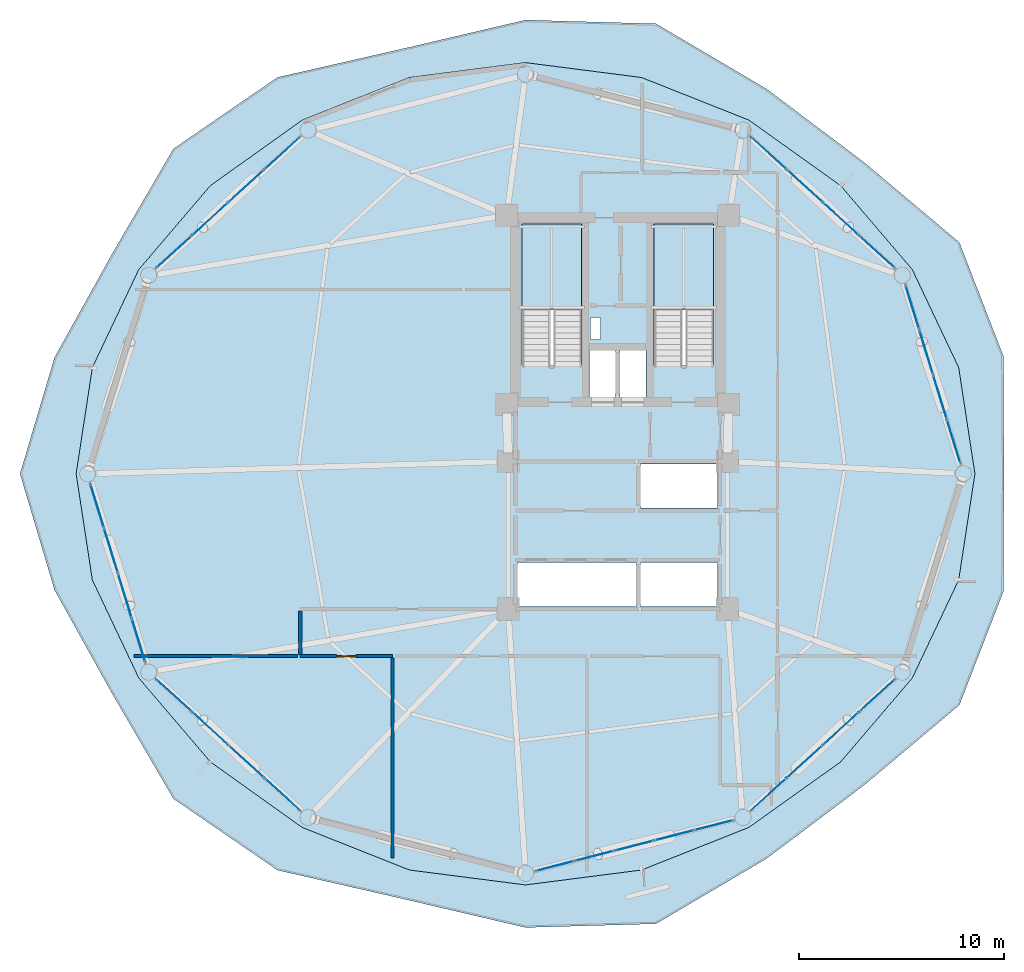
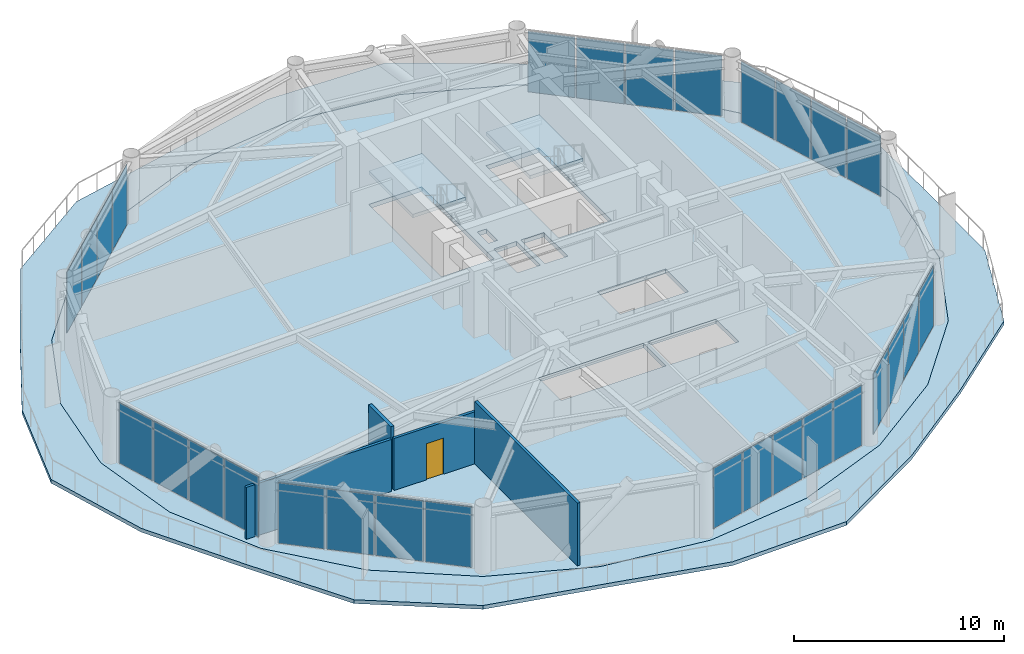
# One storey, part 18 of 23: 29 plates, 4 slabs, 4 walls, 1 door, 1 opening, 9 elements without a shape of their own.
"""IFC4 building model written with IfcOpenShell, lengths in metres."""

from ifc_helpers import new_model, si_unit, direction, frame, frame_2d, origin, origin_2d, place, context, subcontext, project, spatial, polyline, rectangle, outline, extrude, source, transform, mapped, material, layer, layer_set, type_object, type_shapes, element, fill, aggregate, save


model = new_model("IFC4")

# Units and contexts
model_context = context("Model", 3, precision=1e-05, world=origin(), true_north=direction((0.0, 1.0)))
body_context = subcontext(model_context, "Body", "Model", "MODEL_VIEW")
ifc_project = project(units=[si_unit("LENGTHUNIT", "METRE"), si_unit("AREAUNIT", "SQUARE_METRE"), si_unit("VOLUMEUNIT", "CUBIC_METRE"), si_unit("PLANEANGLEUNIT", "RADIAN"), si_unit("MASSUNIT", "GRAM", prefix="KILO")], contexts=[model_context])

# Site, building, storey
site_placement = place(None, origin())
site = spatial("IfcSite", under=ifc_project, at=site_placement, CompositionType="ELEMENT")
building_placement = place(site_placement, origin())
building = spatial("IfcBuilding", under=site, at=building_placement, Name="Varnakorn Sky Granary", CompositionType="ELEMENT")
storey_placement = place(building_placement, frame((0.0, 0.0, 114.89990234375)))
storey = spatial("IfcBuildingStorey", under=building, at=storey_placement, Name="L28", CompositionType="ELEMENT", Elevation=114.89990234375)

# Stair, slab
ifc_material_1 = material(Name="Concrete C40/50", Category="concrete")
stair_type = type_object("IfcStairType", Name="ST-MAIN-ASSEMBLY", PredefinedType="HALF_TURN_STAIR", material=ifc_material_1)
stair_1_placement = place(storey_placement, origin())
stair_1 = element("IfcStair", 1, at=stair_1_placement, inside=storey, type_object=stair_type, Name="L28 Protected Exit Stair ST-1", PredefinedType="HALF_TURN_STAIR")
ifc_layer_1 = layer(ifc_material_1, 0.199951171875, Name="Concrete C40/50")
ifc_layer_set_1 = layer_set([ifc_layer_1], Name="Concrete C40/50")
slab_type_1 = type_object("IfcSlabType", Name="ST-MAIN-LAND", PredefinedType="LANDING", material=ifc_layer_set_1)
slab_1_placement = place(storey_placement, frame((0.0, 0.0, 1.75)))
slab_1 = element("IfcSlab", 2, at=slab_1_placement, type_object=slab_type_1, Name="ST-1 landing 1", PredefinedType="LANDING", context=body_context, shape_type="SweptSolid", body=[
    extrude(outline(polyline([(1.239990234375, 8.0), (1.239990234375, 12.179931640625), (-1.669921875, 12.179931640625), (-1.669921875, 8.0), (1.239990234375, 8.0)])), origin(), (0.0, 0.0, 1.0), 0.2001953125),
])
aggregate(stair_1, [slab_1])

stair_2_placement = place(storey_placement, origin())
stair_2 = element("IfcStair", 3, at=stair_2_placement, inside=storey, type_object=stair_type, Name="L28 Protected Exit Stair ST-2", PredefinedType="HALF_TURN_STAIR")
slab_2_placement = place(storey_placement, frame((0.0, 0.0, 1.75)))
slab_2 = element("IfcSlab", 4, at=slab_2_placement, type_object=slab_type_1, Name="ST-2 landing 1", PredefinedType="LANDING", context=body_context, shape_type="SweptSolid", body=[
    extrude(outline(polyline([(7.679931640625, 8.0), (7.679931640625, 12.179931640625), (4.77001953125, 12.179931640625), (4.77001953125, 8.0), (7.679931640625, 8.0)])), origin(), (0.0, 0.0, 1.0), 0.2001953125),
])
aggregate(stair_2, [slab_2])

# Slabs
ifc_material_2 = material(Name="Precast concrete C40/50", Category="concrete")
ifc_layer_2 = layer(ifc_material_2, 0.219970703125, Name="Precast concrete C40/50")
ifc_layer_set_2 = layer_set([ifc_layer_2], Name="Precast concrete C40/50")
slab_type_2 = type_object("IfcSlabType", Name="ST-SL-DECK-220", PredefinedType="FLOOR", material=ifc_layer_set_2)
slab_3_placement = place(storey_placement, frame((0.0, 0.0, -0.219970703125)))
element("IfcSlab", 5, at=slab_3_placement, inside=storey, type_object=slab_type_2, Name="Wavy Sky-Farm Balcony Deck L28", PredefinedType="FLOOR", context=body_context, shape_type="SweptSolid", body=[
    extrude(outline(polyline([(21.85302734375, 0.0), (21.81640625, 5.7646484375), (19.674072265625, 11.291748046875), (15.0224609375, 15.202880859375), (10.27392578125, 18.777099609375), (4.868408203125, 21.964599609375), (-1.5, 22.14697265625), (-7.538330078125, 20.733154296875), (-13.60400390625, 19.3486328125), (-18.6826171875, 15.863037109375), (-21.68408203125, 10.72021484375), (-24.486328125, 5.67626953125), (-26.173095703125, 0.0), (-24.486328125, -5.67626953125), (-21.68408203125, -10.72021484375), (-18.6826171875, -15.863037109375), (-13.60400390625, -19.3486328125), (-7.538330078125, -20.733154296875), (-1.5, -22.14697265625), (4.868408203125, -21.964599609375), (10.27392578125, -18.777099609375), (15.0224609375, -15.202880859375), (19.674072265625, -11.291748046875), (21.81640625, -5.7646484375), (21.85302734375, 0.0)]), holes=[polyline([(20.43310546875, 0.0), (19.64208984375, 5.18212890625), (17.377685546875, 9.966064453125), (13.881591796875, 14.062255859375), (9.39892578125, 17.26171875), (4.1650390625, 19.33984375), (-1.5, 20.06689453125), (-7.1650390625, 19.33984375), (-12.39892578125, 17.26171875), (-16.881591796875, 14.062255859375), (-20.377685546875, 9.966064453125), (-22.64208984375, 5.18212890625), (-23.43310546875, 0.0), (-22.64208984375, -5.18212890625), (-20.377685546875, -9.966064453125), (-16.881591796875, -14.062255859375), (-12.39892578125, -17.26171875), (-7.1650390625, -19.33984375), (-1.5, -20.06689453125), (4.1650390625, -19.33984375), (9.39892578125, -17.26171875), (13.881591796875, -14.062255859375), (17.377685546875, -9.966064453125), (19.64208984375, -5.18212890625), (20.43310546875, 0.0)])]), origin(), (0.0, 0.0, 1.0), 0.219970703125),
])
ifc_material_3 = material(Name="Concrete C50/60", Category="concrete")
ifc_layer_3 = layer(ifc_material_3, 0.260009765625, Name="Concrete C50/60")
ifc_layer_set_3 = layer_set([ifc_layer_3], Name="Concrete C50/60")
slab_type_3 = type_object("IfcSlabType", Name="ST-SL-TWR-260", PredefinedType="FLOOR", material=ifc_layer_set_3)
slab_4_placement = place(storey_placement, frame((0.0, 0.0, -0.260009765625)))
element("IfcSlab", 6, at=slab_4_placement, inside=storey, type_object=slab_type_3, Name="Level L28 Structural Floor Slab", PredefinedType="FLOOR", context=body_context, shape_type="SweptSolid", body=[
    extrude(outline(polyline([(20.43310546875, 0.0), (19.64208984375, 5.18212890625), (17.377685546875, 9.966064453125), (13.881591796875, 14.062255859375), (9.39892578125, 17.26171875), (4.1650390625, 19.33984375), (-1.5, 20.06689453125), (-7.1650390625, 19.33984375), (-12.39892578125, 17.26171875), (-16.881591796875, 14.062255859375), (-20.377685546875, 9.966064453125), (-22.64208984375, 5.18212890625), (-23.43310546875, 0.0), (-22.64208984375, -5.18212890625), (-20.377685546875, -9.966064453125), (-16.881591796875, -14.062255859375), (-12.39892578125, -17.26171875), (-7.1650390625, -19.33984375), (-1.5, -20.06689453125), (4.1650390625, -19.33984375), (9.39892578125, -17.26171875), (13.881591796875, -14.062255859375), (17.377685546875, -9.966064453125), (19.64208984375, -5.18212890625), (20.43310546875, 0.0)]), holes=[polyline([(1.239990234375, 5.27490234375), (1.239990234375, 12.179931640625), (-1.669921875, 12.179931640625), (-1.669921875, 5.27490234375), (1.239990234375, 5.27490234375)]), polyline([(7.679931640625, 5.27490234375), (7.679931640625, 12.179931640625), (4.77001953125, 12.179931640625), (4.77001953125, 5.27490234375), (7.679931640625, 5.27490234375)]), polyline([(1.659912109375, 6.550048828125), (2.14990234375, 6.550048828125), (2.14990234375, 7.6201171875), (1.659912109375, 7.6201171875), (1.659912109375, 6.550048828125)]), polyline([(1.6201171875, 3.739990234375), (2.8798828125, 3.739990234375), (2.8798828125, 6.010009765625), (1.6201171875, 6.010009765625), (1.6201171875, 3.739990234375)]), polyline([(3.1201171875, 3.739990234375), (4.3798828125, 3.739990234375), (4.3798828125, 6.010009765625), (3.1201171875, 6.010009765625), (3.1201171875, 3.739990234375)]), polyline([(4.1201171875, -1.679931640625), (7.8798828125, -1.679931640625), (7.8798828125, 0.47998046875), (4.1201171875, 0.47998046875), (4.1201171875, -1.679931640625)]), polyline([(-1.8798828125, -6.47998046875), (3.8798828125, -6.47998046875), (3.8798828125, -4.320068359375), (-1.8798828125, -4.320068359375), (-1.8798828125, -6.47998046875)]), polyline([(4.1201171875, -6.47998046875), (7.8798828125, -6.47998046875), (7.8798828125, -4.320068359375), (4.1201171875, -4.320068359375), (4.1201171875, -6.47998046875)])]), origin(), (0.0, 0.0, 1.0), 0.260009765625),
])

# Curtain wall, plates
ifc_material_4 = material(Name="Anodised Bronze Aluminium Alloy 6063-T6", Category="aluminium")
ifc_layer_4 = layer(ifc_material_4, 0.179931640625, Name="Anodised Bronze Aluminium Alloy 6063-T6")
ifc_layer_set_4 = layer_set([ifc_layer_4], Name="Anodised Bronze Aluminium Alloy 6063-T6")
curtain_wall_type = type_object("IfcCurtainWallType", Name="CW-FRM-2", PredefinedType="USERDEFINED", material=ifc_layer_set_4)
curtain_wall_1_placement = place(storey_placement, origin())
curtain_wall_1 = element("IfcCurtainWall", 7, at=curtain_wall_1_placement, inside=storey, type_object=curtain_wall_type, Name="Unitised Curtain Wall CW4 CW-L28-B01", ObjectType="CURTAIN WALL", PredefinedType="USERDEFINED")
ifc_material_5 = material(Name="Low-E Tinted Laminated Glass", Category="glass")
ifc_layer_5 = layer(ifc_material_5, 0.02587890625, Name="Low-E Tinted Laminated Glass")
ifc_layer_set_5 = layer_set([ifc_layer_5], Name="Low-E Tinted Laminated Glass")
plate_type = type_object("IfcPlateType", Name="CW-FRM-2-PNL", PredefinedType="CURTAIN_PANEL")
shared_shape_1 = source(origin(), body_context, "Body", "SweptSolid", [
    extrude(rectangle(XDim=2.196533203125, YDim=0.02587890625, at=origin_2d()), origin(), (0.0, 0.0, 1.0), 3.510009765625),
])
plate_1_placement = place(storey_placement, frame((17.382080078125, 8.12841796875, 0.06494140625), z_axis=(0.0, 0.0, 1.0), x_axis=(0.294071346349, -0.955783470906, 0.0)))
plate_1 = element("IfcPlate", 8, at=plate_1_placement, type_object=plate_type, material=ifc_layer_set_5, Name="CW4 vision glazing unit 1.1", PredefinedType="CURTAIN_PANEL", context=body_context, shape_type="MappedRepresentation", body=[
    mapped(shared_shape_1, transform((0.0, 0.0, 0.0), x_axis=(1.0, 0.0, 0.0), y_axis=(0.0, 1.0, 0.0), z_axis=(0.0, 0.0, 1.0), scale=1.0)),
])
plate_2_placement = place(storey_placement, frame((19.40234375, 1.5625, 0.06494140625), z_axis=(0.0, 0.0, 1.0), x_axis=(0.294071346349, -0.955783470906, 0.0)))
plate_2 = element("IfcPlate", 9, at=plate_2_placement, type_object=plate_type, material=ifc_layer_set_5, Name="CW4 vision glazing unit 4.1", PredefinedType="CURTAIN_PANEL", context=body_context, shape_type="MappedRepresentation", body=[
    mapped(shared_shape_1, transform((0.0, 0.0, 0.0), x_axis=(1.0, 0.0, 0.0), y_axis=(0.0, 1.0, 0.0), z_axis=(0.0, 0.0, 1.0), scale=1.0)),
])

curtain_wall_2_placement = place(storey_placement, origin())
curtain_wall_2 = element("IfcCurtainWall", 10, at=curtain_wall_2_placement, inside=storey, type_object=curtain_wall_type, Name="Unitised Curtain Wall CW4 CW-L28-B07", ObjectType="CURTAIN WALL", PredefinedType="USERDEFINED")
plate_3_placement = place(storey_placement, frame((-20.382080078125, -8.12841796875, 0.06494140625), z_axis=(0.0, 0.0, 1.0), x_axis=(-0.294071346349, 0.955783470906, 0.0)))
plate_3 = element("IfcPlate", 11, at=plate_3_placement, type_object=plate_type, material=ifc_layer_set_5, Name="CW4 vision glazing unit 1.1", PredefinedType="CURTAIN_PANEL", context=body_context, shape_type="MappedRepresentation", body=[
    mapped(shared_shape_1, transform((0.0, 0.0, 0.0), x_axis=(1.0, 0.0, 0.0), y_axis=(0.0, 1.0, 0.0), z_axis=(0.0, 0.0, 1.0), scale=1.0)),
])
plate_4_placement = place(storey_placement, frame((-22.40234375, -1.5625, 0.06494140625), z_axis=(0.0, 0.0, 1.0), x_axis=(-0.294071346349, 0.955783470906, 0.0)))
plate_4 = element("IfcPlate", 12, at=plate_4_placement, type_object=plate_type, material=ifc_layer_set_5, Name="CW4 vision glazing unit 4.1", PredefinedType="CURTAIN_PANEL", context=body_context, shape_type="MappedRepresentation", body=[
    mapped(shared_shape_1, transform((0.0, 0.0, 0.0), x_axis=(1.0, 0.0, 0.0), y_axis=(0.0, 1.0, 0.0), z_axis=(0.0, 0.0, 1.0), scale=1.0)),
])

# Plate
ifc_material_6 = material(Name="Opaque Insulated Aluminium Shadow-Box Unit", Category="aluminium")
ifc_layer_6 = layer(ifc_material_6, 0.02587890625, Name="Opaque Insulated Aluminium Shadow-Box Unit")
ifc_layer_set_6 = layer_set([ifc_layer_6], Name="Opaque Insulated Aluminium Shadow-Box Unit")
shared_shape_2 = source(origin(), body_context, "Body", "SweptSolid", [
    extrude(rectangle(XDim=2.2314453125, YDim=0.02587890625, at=origin_2d()), origin(), (0.0, 0.0, 1.0), 3.510009765625),
])
plate_5_placement = place(storey_placement, frame((18.0537109375, 5.9453125, 0.06494140625), z_axis=(0.0, 0.0, 1.0), x_axis=(0.294071346349, -0.955783470906, 0.0)))
plate_5 = element("IfcPlate", 13, at=plate_5_placement, type_object=plate_type, material=ifc_layer_set_6, Name="CW4 opaque insulated shadow-box unit 2.1", PredefinedType="CURTAIN_PANEL", context=body_context, shape_type="MappedRepresentation", body=[
    mapped(shared_shape_2, transform((0.0, 0.0, 0.0), x_axis=(1.0, 0.0, 0.0), y_axis=(0.0, 1.0, 0.0), z_axis=(0.0, 0.0, 1.0), scale=1.0)),
])

plate_6_placement = place(storey_placement, frame((18.73046875, 3.74560546875, 0.06494140625), z_axis=(0.0, 0.0, 1.0), x_axis=(0.294071346349, -0.955783470906, 0.0)))
plate_6 = element("IfcPlate", 14, at=plate_6_placement, type_object=plate_type, material=ifc_layer_set_6, Name="CW4 opaque insulated shadow-box unit 3.1", PredefinedType="CURTAIN_PANEL", context=body_context, shape_type="MappedRepresentation", body=[
    mapped(shared_shape_2, transform((0.0, 0.0, 0.0), x_axis=(1.0, 0.0, 0.0), y_axis=(0.0, 1.0, 0.0), z_axis=(0.0, 0.0, 1.0), scale=1.0)),
])

aggregate(curtain_wall_1, [plate_1, plate_5, plate_6, plate_2])

plate_7_placement = place(storey_placement, frame((-21.0537109375, -5.9453125, 0.06494140625), z_axis=(0.0, 0.0, 1.0), x_axis=(-0.294071346349, 0.955783470906, 0.0)))
plate_7 = element("IfcPlate", 15, at=plate_7_placement, type_object=plate_type, material=ifc_layer_set_6, Name="CW4 opaque insulated shadow-box unit 2.1", PredefinedType="CURTAIN_PANEL", context=body_context, shape_type="MappedRepresentation", body=[
    mapped(shared_shape_2, transform((0.0, 0.0, 0.0), x_axis=(1.0, 0.0, 0.0), y_axis=(0.0, 1.0, 0.0), z_axis=(0.0, 0.0, 1.0), scale=1.0)),
])

plate_8_placement = place(storey_placement, frame((-21.73046875, -3.74560546875, 0.06494140625), z_axis=(0.0, 0.0, 1.0), x_axis=(-0.294071346349, 0.955783470906, 0.0)))
plate_8 = element("IfcPlate", 16, at=plate_8_placement, type_object=plate_type, material=ifc_layer_set_6, Name="CW4 opaque insulated shadow-box unit 3.1", PredefinedType="CURTAIN_PANEL", context=body_context, shape_type="MappedRepresentation", body=[
    mapped(shared_shape_2, transform((0.0, 0.0, 0.0), x_axis=(1.0, 0.0, 0.0), y_axis=(0.0, 1.0, 0.0), z_axis=(0.0, 0.0, 1.0), scale=1.0)),
])

aggregate(curtain_wall_2, [plate_3, plate_7, plate_8, plate_4])

# Curtain wall, plates
curtain_wall_3_placement = place(storey_placement, origin())
curtain_wall_3 = element("IfcCurtainWall", 17, at=curtain_wall_3_placement, inside=storey, type_object=curtain_wall_type, Name="Unitised Curtain Wall CW4 CW-L28-B02", ObjectType="CURTAIN WALL", PredefinedType="USERDEFINED")
shared_shape_3 = source(origin(), body_context, "Body", "SweptSolid", [
    extrude(rectangle(XDim=2.29345703125, YDim=0.02587890625, at=origin_2d()), origin(), (0.0, 0.0, 1.0), 3.510009765625),
])
plate_9_placement = place(storey_placement, frame((10.36767578125, 15.65087890625, 0.06494140625), z_axis=(0.0, 0.0, 1.0), x_axis=(0.738799985242, -0.673924759752, 0.0)))
plate_9 = element("IfcPlate", 18, at=plate_9_placement, type_object=plate_type, material=ifc_layer_set_5, Name="CW4 vision glazing unit 1.1", PredefinedType="CURTAIN_PANEL", context=body_context, shape_type="MappedRepresentation", body=[
    mapped(shared_shape_3, transform((0.0, 0.0, 0.0), x_axis=(1.0, 0.0, 0.0), y_axis=(0.0, 1.0, 0.0), z_axis=(0.0, 0.0, 1.0), scale=1.0)),
])
plate_10_placement = place(storey_placement, frame((15.65771484375, 10.825439453125, 0.06494140625), z_axis=(0.0, 0.0, 1.0), x_axis=(0.738799985242, -0.673924759752, 0.0)))
plate_10 = element("IfcPlate", 19, at=plate_10_placement, type_object=plate_type, material=ifc_layer_set_5, Name="CW4 vision glazing unit 4.1", PredefinedType="CURTAIN_PANEL", context=body_context, shape_type="MappedRepresentation", body=[
    mapped(shared_shape_3, transform((0.0, 0.0, 0.0), x_axis=(1.0, 0.0, 0.0), y_axis=(0.0, 1.0, 0.0), z_axis=(0.0, 0.0, 1.0), scale=1.0)),
])

curtain_wall_4_placement = place(storey_placement, origin())
curtain_wall_4 = element("IfcCurtainWall", 20, at=curtain_wall_4_placement, inside=storey, type_object=curtain_wall_type, Name="Unitised Curtain Wall CW4 CW-L28-B05", ObjectType="CURTAIN WALL", PredefinedType="USERDEFINED")
plate_11_placement = place(storey_placement, frame((-18.65771484375, 10.825439453125, 0.06494140625), z_axis=(0.0, 0.0, 1.0), x_axis=(0.738799985242, 0.673924759752, 0.0)))
plate_11 = element("IfcPlate", 21, at=plate_11_placement, type_object=plate_type, material=ifc_layer_set_5, Name="CW4 vision glazing unit 1.1", PredefinedType="CURTAIN_PANEL", context=body_context, shape_type="MappedRepresentation", body=[
    mapped(shared_shape_3, transform((0.0, 0.0, 0.0), x_axis=(1.0, 0.0, 0.0), y_axis=(0.0, 1.0, 0.0), z_axis=(0.0, 0.0, 1.0), scale=1.0)),
])
plate_12_placement = place(storey_placement, frame((-13.36767578125, 15.65087890625, 0.06494140625), z_axis=(0.0, 0.0, 1.0), x_axis=(0.738799985242, 0.673924759752, 0.0)))
plate_12 = element("IfcPlate", 22, at=plate_12_placement, type_object=plate_type, material=ifc_layer_set_5, Name="CW4 vision glazing unit 4.1", PredefinedType="CURTAIN_PANEL", context=body_context, shape_type="MappedRepresentation", body=[
    mapped(shared_shape_3, transform((0.0, 0.0, 0.0), x_axis=(1.0, 0.0, 0.0), y_axis=(0.0, 1.0, 0.0), z_axis=(0.0, 0.0, 1.0), scale=1.0)),
])

curtain_wall_5_placement = place(storey_placement, origin())
curtain_wall_5 = element("IfcCurtainWall", 23, at=curtain_wall_5_placement, inside=storey, type_object=curtain_wall_type, Name="Unitised Curtain Wall CW4 CW-L28-B08", ObjectType="CURTAIN WALL", PredefinedType="USERDEFINED")
plate_13_placement = place(storey_placement, frame((-13.36767578125, -15.65087890625, 0.06494140625), z_axis=(0.0, 0.0, 1.0), x_axis=(-0.738799985242, 0.673924759752, 0.0)))
plate_13 = element("IfcPlate", 24, at=plate_13_placement, type_object=plate_type, material=ifc_layer_set_5, Name="CW4 vision glazing unit 1.1", PredefinedType="CURTAIN_PANEL", context=body_context, shape_type="MappedRepresentation", body=[
    mapped(shared_shape_3, transform((0.0, 0.0, 0.0), x_axis=(1.0, 0.0, 0.0), y_axis=(0.0, 1.0, 0.0), z_axis=(0.0, 0.0, 1.0), scale=1.0)),
])
plate_14_placement = place(storey_placement, frame((-18.65771484375, -10.825439453125, 0.06494140625), z_axis=(0.0, 0.0, 1.0), x_axis=(-0.738799985242, 0.673924759752, 0.0)))
plate_14 = element("IfcPlate", 25, at=plate_14_placement, type_object=plate_type, material=ifc_layer_set_5, Name="CW4 vision glazing unit 4.1", PredefinedType="CURTAIN_PANEL", context=body_context, shape_type="MappedRepresentation", body=[
    mapped(shared_shape_3, transform((0.0, 0.0, 0.0), x_axis=(1.0, 0.0, 0.0), y_axis=(0.0, 1.0, 0.0), z_axis=(0.0, 0.0, 1.0), scale=1.0)),
])

curtain_wall_6_placement = place(storey_placement, origin())
curtain_wall_6 = element("IfcCurtainWall", 26, at=curtain_wall_6_placement, inside=storey, type_object=curtain_wall_type, Name="Unitised Curtain Wall CW4 CW-L28-B11", ObjectType="CURTAIN WALL", PredefinedType="USERDEFINED")
plate_15_placement = place(storey_placement, frame((15.65771484375, -10.825439453125, 0.06494140625), z_axis=(0.0, 0.0, 1.0), x_axis=(-0.738799985242, -0.673924759752, 0.0)))
plate_15 = element("IfcPlate", 27, at=plate_15_placement, type_object=plate_type, material=ifc_layer_set_5, Name="CW4 vision glazing unit 1.1", PredefinedType="CURTAIN_PANEL", context=body_context, shape_type="MappedRepresentation", body=[
    mapped(shared_shape_3, transform((0.0, 0.0, 0.0), x_axis=(1.0, 0.0, 0.0), y_axis=(0.0, 1.0, 0.0), z_axis=(0.0, 0.0, 1.0), scale=1.0)),
])
plate_16_placement = place(storey_placement, frame((10.36767578125, -15.65087890625, 0.06494140625), z_axis=(0.0, 0.0, 1.0), x_axis=(-0.738799985242, -0.673924759752, 0.0)))
plate_16 = element("IfcPlate", 28, at=plate_16_placement, type_object=plate_type, material=ifc_layer_set_5, Name="CW4 vision glazing unit 4.1", PredefinedType="CURTAIN_PANEL", context=body_context, shape_type="MappedRepresentation", body=[
    mapped(shared_shape_3, transform((0.0, 0.0, 0.0), x_axis=(1.0, 0.0, 0.0), y_axis=(0.0, 1.0, 0.0), z_axis=(0.0, 0.0, 1.0), scale=1.0)),
])

# Plate
shared_shape_4 = source(origin(), body_context, "Body", "SweptSolid", [
    extrude(rectangle(XDim=2.328369140625, YDim=0.02587890625, at=origin_2d()), origin(), (0.0, 0.0, 1.0), 3.510009765625),
])
plate_17_placement = place(storey_placement, frame((12.126708984375, 14.04638671875, 0.06494140625), z_axis=(0.0, 0.0, 1.0), x_axis=(0.738799985242, -0.673924759752, 0.0)))
plate_17 = element("IfcPlate", 29, at=plate_17_placement, type_object=plate_type, material=ifc_layer_set_6, Name="CW4 opaque insulated shadow-box unit 2.1", PredefinedType="CURTAIN_PANEL", context=body_context, shape_type="MappedRepresentation", body=[
    mapped(shared_shape_4, transform((0.0, 0.0, 0.0), x_axis=(1.0, 0.0, 0.0), y_axis=(0.0, 1.0, 0.0), z_axis=(0.0, 0.0, 1.0), scale=1.0)),
])

plate_18_placement = place(storey_placement, frame((13.898681640625, 12.429931640625, 0.06494140625), z_axis=(0.0, 0.0, 1.0), x_axis=(0.738799985242, -0.673924759752, 0.0)))
plate_18 = element("IfcPlate", 30, at=plate_18_placement, type_object=plate_type, material=ifc_layer_set_6, Name="CW4 opaque insulated shadow-box unit 3.1", PredefinedType="CURTAIN_PANEL", context=body_context, shape_type="MappedRepresentation", body=[
    mapped(shared_shape_4, transform((0.0, 0.0, 0.0), x_axis=(1.0, 0.0, 0.0), y_axis=(0.0, 1.0, 0.0), z_axis=(0.0, 0.0, 1.0), scale=1.0)),
])

aggregate(curtain_wall_3, [plate_9, plate_17, plate_18, plate_10])

plate_19_placement = place(storey_placement, frame((-16.898681640625, 12.429931640625, 0.06494140625), z_axis=(0.0, 0.0, 1.0), x_axis=(0.738799985242, 0.673924759752, 0.0)))
plate_19 = element("IfcPlate", 31, at=plate_19_placement, type_object=plate_type, material=ifc_layer_set_6, Name="CW4 opaque insulated shadow-box unit 2.1", PredefinedType="CURTAIN_PANEL", context=body_context, shape_type="MappedRepresentation", body=[
    mapped(shared_shape_4, transform((0.0, 0.0, 0.0), x_axis=(1.0, 0.0, 0.0), y_axis=(0.0, 1.0, 0.0), z_axis=(0.0, 0.0, 1.0), scale=1.0)),
])

plate_20_placement = place(storey_placement, frame((-15.126708984375, 14.04638671875, 0.06494140625), z_axis=(0.0, 0.0, 1.0), x_axis=(0.738799985242, 0.673924759752, 0.0)))
plate_20 = element("IfcPlate", 32, at=plate_20_placement, type_object=plate_type, material=ifc_layer_set_6, Name="CW4 opaque insulated shadow-box unit 3.1", PredefinedType="CURTAIN_PANEL", context=body_context, shape_type="MappedRepresentation", body=[
    mapped(shared_shape_4, transform((0.0, 0.0, 0.0), x_axis=(1.0, 0.0, 0.0), y_axis=(0.0, 1.0, 0.0), z_axis=(0.0, 0.0, 1.0), scale=1.0)),
])

aggregate(curtain_wall_4, [plate_11, plate_19, plate_20, plate_12])

plate_21_placement = place(storey_placement, frame((-15.126708984375, -14.04638671875, 0.06494140625), z_axis=(0.0, 0.0, 1.0), x_axis=(-0.738799985242, 0.673924759752, 0.0)))
plate_21 = element("IfcPlate", 33, at=plate_21_placement, type_object=plate_type, material=ifc_layer_set_6, Name="CW4 opaque insulated shadow-box unit 2.1", PredefinedType="CURTAIN_PANEL", context=body_context, shape_type="MappedRepresentation", body=[
    mapped(shared_shape_4, transform((0.0, 0.0, 0.0), x_axis=(1.0, 0.0, 0.0), y_axis=(0.0, 1.0, 0.0), z_axis=(0.0, 0.0, 1.0), scale=1.0)),
])

plate_22_placement = place(storey_placement, frame((-16.898681640625, -12.429931640625, 0.06494140625), z_axis=(0.0, 0.0, 1.0), x_axis=(-0.738799985242, 0.673924759752, 0.0)))
plate_22 = element("IfcPlate", 34, at=plate_22_placement, type_object=plate_type, material=ifc_layer_set_6, Name="CW4 opaque insulated shadow-box unit 3.1", PredefinedType="CURTAIN_PANEL", context=body_context, shape_type="MappedRepresentation", body=[
    mapped(shared_shape_4, transform((0.0, 0.0, 0.0), x_axis=(1.0, 0.0, 0.0), y_axis=(0.0, 1.0, 0.0), z_axis=(0.0, 0.0, 1.0), scale=1.0)),
])

aggregate(curtain_wall_5, [plate_13, plate_21, plate_22, plate_14])

plate_23_placement = place(storey_placement, frame((13.898681640625, -12.429931640625, 0.06494140625), z_axis=(0.0, 0.0, 1.0), x_axis=(-0.738799985242, -0.673924759752, 0.0)))
plate_23 = element("IfcPlate", 35, at=plate_23_placement, type_object=plate_type, material=ifc_layer_set_6, Name="CW4 opaque insulated shadow-box unit 2.1", PredefinedType="CURTAIN_PANEL", context=body_context, shape_type="MappedRepresentation", body=[
    mapped(shared_shape_4, transform((0.0, 0.0, 0.0), x_axis=(1.0, 0.0, 0.0), y_axis=(0.0, 1.0, 0.0), z_axis=(0.0, 0.0, 1.0), scale=1.0)),
])

plate_24_placement = place(storey_placement, frame((12.126708984375, -14.04638671875, 0.06494140625), z_axis=(0.0, 0.0, 1.0), x_axis=(-0.738799985242, -0.673924759752, 0.0)))
plate_24 = element("IfcPlate", 36, at=plate_24_placement, type_object=plate_type, material=ifc_layer_set_6, Name="CW4 opaque insulated shadow-box unit 3.1", PredefinedType="CURTAIN_PANEL", context=body_context, shape_type="MappedRepresentation", body=[
    mapped(shared_shape_4, transform((0.0, 0.0, 0.0), x_axis=(1.0, 0.0, 0.0), y_axis=(0.0, 1.0, 0.0), z_axis=(0.0, 0.0, 1.0), scale=1.0)),
])

aggregate(curtain_wall_6, [plate_15, plate_23, plate_24, plate_16])

# Curtain wall, plates
curtain_wall_7_placement = place(storey_placement, origin())
curtain_wall_7 = element("IfcCurtainWall", 37, at=curtain_wall_7_placement, inside=storey, type_object=curtain_wall_type, Name="Unitised Curtain Wall CW4 CW-L28-B10", ObjectType="CURTAIN WALL", PredefinedType="USERDEFINED")
shared_shape_5 = source(origin(), body_context, "Body", "SweptSolid", [
    extrude(rectangle(XDim=1.90234375, YDim=0.02587890625, at=origin_2d()), origin(), (0.0, 0.0, 1.0), 3.510009765625),
])
plate_25_placement = place(storey_placement, frame((7.68310546875, -17.15576171875, 0.06494140625), z_axis=(0.0, 0.0, 1.0), x_axis=(-0.968498493949, -0.249019411328, 0.0)))
plate_25 = element("IfcPlate", 38, at=plate_25_placement, type_object=plate_type, material=ifc_layer_set_5, Name="CW4 vision glazing unit 1.1", PredefinedType="CURTAIN_PANEL", context=body_context, shape_type="MappedRepresentation", body=[
    mapped(shared_shape_5, transform((0.0, 0.0, 0.0), x_axis=(1.0, 0.0, 0.0), y_axis=(0.0, 1.0, 0.0), z_axis=(0.0, 0.0, 1.0), scale=1.0)),
])
plate_26_placement = place(storey_placement, frame((-0.059326171875, -19.146484375, 0.06494140625), z_axis=(0.0, 0.0, 1.0), x_axis=(-0.968498493949, -0.249019411328, 0.0)))
plate_26 = element("IfcPlate", 39, at=plate_26_placement, type_object=plate_type, material=ifc_layer_set_5, Name="CW4 vision glazing unit 5.1", PredefinedType="CURTAIN_PANEL", context=body_context, shape_type="MappedRepresentation", body=[
    mapped(shared_shape_5, transform((0.0, 0.0, 0.0), x_axis=(1.0, 0.0, 0.0), y_axis=(0.0, 1.0, 0.0), z_axis=(0.0, 0.0, 1.0), scale=1.0)),
])
shared_shape_6 = source(origin(), body_context, "Body", "SweptSolid", [
    extrude(rectangle(XDim=1.937255859375, YDim=0.02587890625, at=origin_2d()), origin(), (0.0, 0.0, 1.0), 3.510009765625),
])
type_shapes(plate_type, [shared_shape_1, shared_shape_2, shared_shape_3, shared_shape_4, shared_shape_5, shared_shape_6])
plate_27_placement = place(storey_placement, frame((5.756103515625, -17.6513671875, 0.06494140625), z_axis=(0.0, 0.0, 1.0), x_axis=(-0.968498493949, -0.249019411328, 0.0)))
plate_27 = element("IfcPlate", 40, at=plate_27_placement, type_object=plate_type, material=ifc_layer_set_6, Name="CW4 opaque insulated shadow-box unit 2.1", PredefinedType="CURTAIN_PANEL", context=body_context, shape_type="MappedRepresentation", body=[
    mapped(shared_shape_6, transform((0.0, 0.0, 0.0), x_axis=(1.0, 0.0, 0.0), y_axis=(0.0, 1.0, 0.0), z_axis=(0.0, 0.0, 1.0), scale=1.0)),
])
plate_28_placement = place(storey_placement, frame((3.81201171875, -18.151123046875, 0.06494140625), z_axis=(0.0, 0.0, 1.0), x_axis=(-0.968498493949, -0.249019411328, 0.0)))
plate_28 = element("IfcPlate", 41, at=plate_28_placement, type_object=plate_type, material=ifc_layer_set_6, Name="CW4 opaque insulated shadow-box unit 3.1", PredefinedType="CURTAIN_PANEL", context=body_context, shape_type="MappedRepresentation", body=[
    mapped(shared_shape_6, transform((0.0, 0.0, 0.0), x_axis=(1.0, 0.0, 0.0), y_axis=(0.0, 1.0, 0.0), z_axis=(0.0, 0.0, 1.0), scale=1.0)),
])
plate_29_placement = place(storey_placement, frame((1.867919921875, -18.651123046875, 0.06494140625), z_axis=(0.0, 0.0, 1.0), x_axis=(-0.968498493949, -0.249019411328, 0.0)))
plate_29 = element("IfcPlate", 42, at=plate_29_placement, type_object=plate_type, material=ifc_layer_set_6, Name="CW4 opaque insulated shadow-box unit 4.1", PredefinedType="CURTAIN_PANEL", context=body_context, shape_type="MappedRepresentation", body=[
    mapped(shared_shape_6, transform((0.0, 0.0, 0.0), x_axis=(1.0, 0.0, 0.0), y_axis=(0.0, 1.0, 0.0), z_axis=(0.0, 0.0, 1.0), scale=1.0)),
])
aggregate(curtain_wall_7, [plate_25, plate_27, plate_28, plate_29, plate_26])

# Wall, opening, door
ifc_material_7 = material(Name="Gypsum Plasterboard on Steel Stud", Category="steel")
ifc_layer_7 = layer(ifc_material_7, 0.14990234375, Name="Gypsum Plasterboard on Steel Stud")
ifc_layer_set_7 = layer_set([ifc_layer_7], Name="Gypsum Plasterboard on Steel Stud")
wall_type_1 = type_object("IfcWallType", Name="WT-PART-150", PredefinedType="PARTITIONING", material=ifc_layer_set_7)
wall_1_placement = place(storey_placement, frame((-12.5, -8.89990234375, 0.0), z_axis=(0.0, 0.0, 1.0), x_axis=(1.0, 0.0, 0.0)))
wall_1 = element("IfcWall", 43, at=wall_1_placement, inside=storey, type_object=wall_type_1, Name="Interior Partition Wall L28-021", PredefinedType="PARTITIONING", context=body_context, shape_type="SweptSolid", body=[
    extrude(rectangle(XDim=4.5, YDim=0.14990234375, at=frame_2d((2.25, 0.0))), origin(), (0.0, 0.0, 1.0), 3.022216796875),
])
opening_placement = place(wall_1_placement, frame((1.77490234375, 0.0, 0.0)))
opening = element("IfcOpeningElement", 44, at=opening_placement, cuts=wall_1, Name="Opening ID-95", PredefinedType="OPENING", context=body_context, shape_type="SweptSolid", body=[
    extrude(rectangle(XDim=0.949951171875, YDim=2.10009765625, at=frame_2d((0.47509765625, 1.050048828125))), frame((0.0, 0.0849609375, 0.0), z_axis=(0.0, -1.0, 0.0), x_axis=(1.0, 0.0, 0.0)), (0.0, 0.0, 1.0), 0.169921875),
])
ifc_material_8 = material(Name="Solid-Core Teak Veneer Leaf", Category="timber")
door_type = type_object("IfcDoorType", Name="DR-INT-950", OperationType="NOTDEFINED", PredefinedType="DOOR", material=ifc_material_8)
door_placement = place(opening_placement, origin())
door = element("IfcDoor", 45, at=door_placement, inside=storey, type_object=door_type, Name="Interior Door L28-021-1", OperationType="SINGLE_SWING_LEFT", OverallHeight=2.10009765625, OverallWidth=0.949951171875, PredefinedType="DOOR", context=body_context, shape_type="SweptSolid", body=[
    extrude(rectangle(XDim=0.949951171875, YDim=2.10009765625, at=frame_2d((0.47509765625, 1.050048828125))), frame((0.0, 0.02490234375, 0.0), z_axis=(0.0, -1.0, 0.0), x_axis=(1.0, 0.0, 0.0)), (0.0, 0.0, 1.0), 0.050048828125),
])
fill(opening, door)

# Walls
wall_2_placement = place(storey_placement, frame((-8.0, -8.985107421875, 0.0), z_axis=(0.0, 0.0, 1.0), x_axis=(0.0, -1.0, 0.0)))
element("IfcWall", 46, at=wall_2_placement, inside=storey, type_object=wall_type_1, Name="Interior Partition Wall L28-033", PredefinedType="PARTITIONING", context=body_context, shape_type="SweptSolid", body=[
    extrude(rectangle(XDim=9.766845703125, YDim=0.14990234375, at=frame_2d((4.88330078125, 0.0))), origin(), (0.0, 0.0, 1.0), 3.64013671875),
])
wall_3_placement = place(storey_placement, frame((-20.617919921875, -8.89990234375, 0.0), z_axis=(0.0, 0.0, 1.0), x_axis=(1.0, 0.0, 0.0)))
element("IfcWall", 47, at=wall_3_placement, inside=storey, type_object=wall_type_1, Name="Interior Partition Wall L28-034", PredefinedType="PARTITIONING", context=body_context, shape_type="SweptSolid", body=[
    extrude(rectangle(XDim=7.98291015625, YDim=0.14990234375, at=frame_2d((3.991455078125, 0.0))), origin(), (0.0, 0.0, 1.0), 3.022216796875),
])
ifc_material_9 = material(Name="Moisture-Resistant Gypsum on Stud", Category="gypsum")
ifc_layer_8 = layer(ifc_material_9, 0.179931640625, Name="Moisture-Resistant Gypsum on Stud")
ifc_layer_set_8 = layer_set([ifc_layer_8], Name="Moisture-Resistant Gypsum on Stud")
wall_type_2 = type_object("IfcWallType", Name="WT-PLUMB-180", PredefinedType="PLUMBINGWALL", material=ifc_layer_set_8)
wall_4_placement = place(storey_placement, frame((-12.5, -6.699951171875, 0.0), z_axis=(0.0, 0.0, 1.0), x_axis=(0.0, -1.0, 0.0)))
element("IfcWall", 48, at=wall_4_placement, inside=storey, type_object=wall_type_2, Name="Interior Partition Wall L28-040", PredefinedType="PLUMBINGWALL", context=body_context, shape_type="SweptSolid", body=[
    extrude(rectangle(XDim=2.114990234375, YDim=0.179931640625, at=frame_2d((1.0576171875, 0.0))), origin(), (0.0, 0.0, 1.0), 3.64013671875),
])

save(model, "model.ifc")
